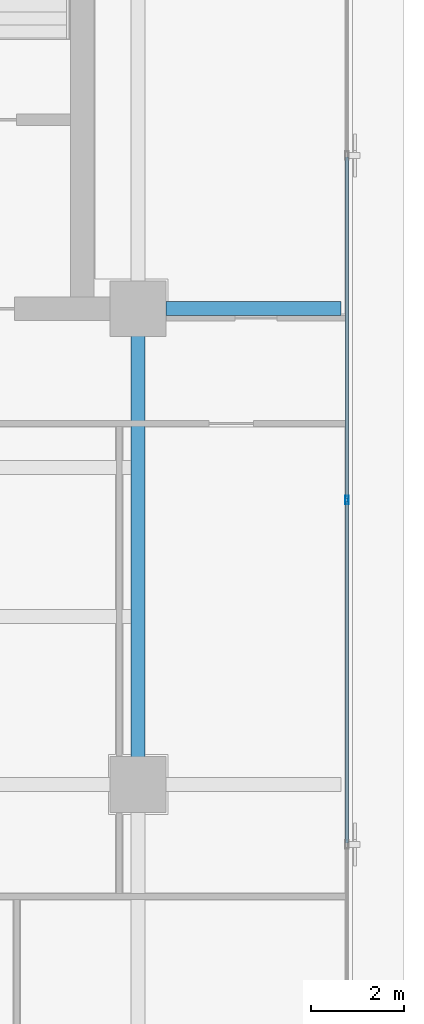
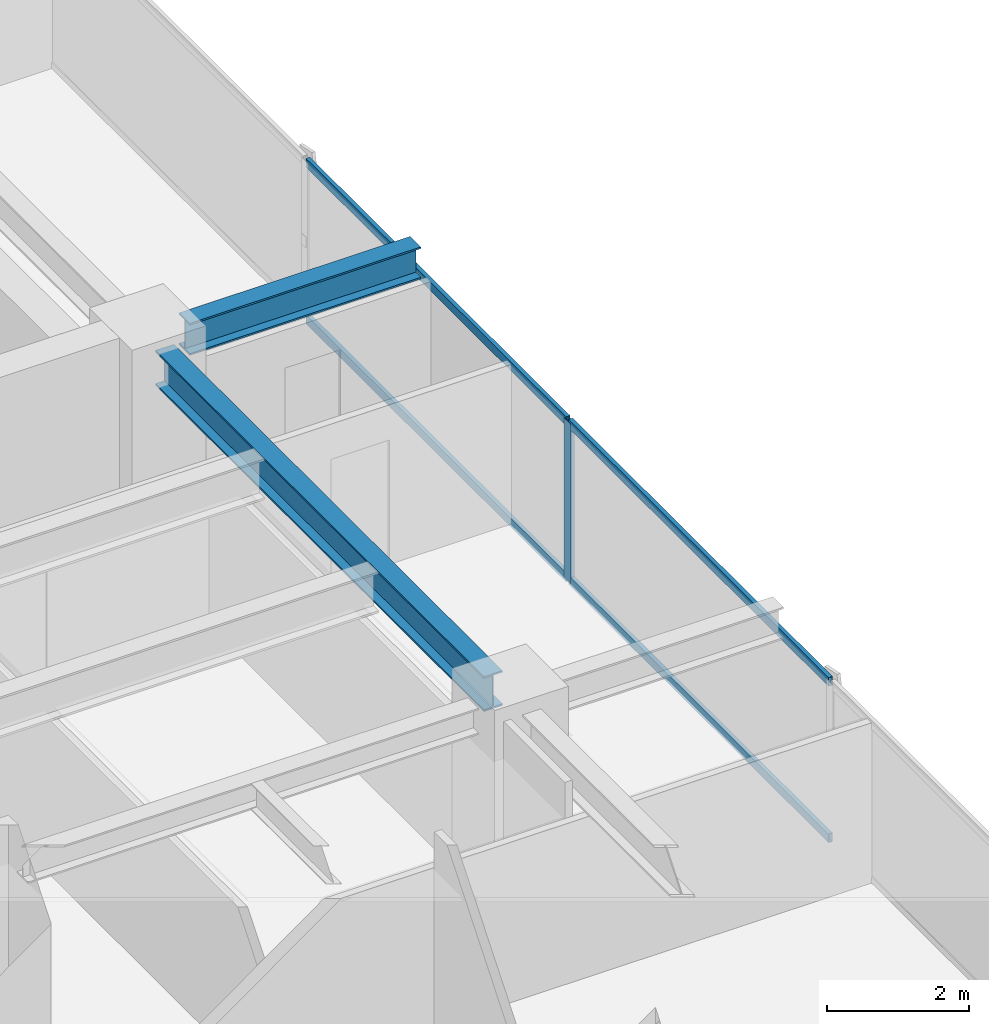
# One storey, part 10 of 22: 5 members, 2 beams, 1 element without a shape of its own.
"""IFC4 building model written with IfcOpenShell, lengths in metres."""

from ifc_helpers import new_model, si_unit, direction, frame, origin, origin_2d, place, context, subcontext, project, spatial, hollow_rectangle, i_section, extrude, source, transform, mapped, material, layer, layer_set, material_profile, profile_set, type_object, element, aggregate, save


model = new_model("IFC4")

# Units and contexts
model_context = context("Model", 3, precision=1e-05, world=origin(), true_north=direction((0.0, 1.0)))
body_context = subcontext(model_context, "Body", "Model", "MODEL_VIEW")
ifc_project = project(units=[si_unit("LENGTHUNIT", "METRE"), si_unit("AREAUNIT", "SQUARE_METRE"), si_unit("VOLUMEUNIT", "CUBIC_METRE"), si_unit("PLANEANGLEUNIT", "RADIAN"), si_unit("MASSUNIT", "GRAM", prefix="KILO")], contexts=[model_context])

# Site, building, storey
site_placement = place(None, origin())
site = spatial("IfcSite", under=ifc_project, at=site_placement, CompositionType="ELEMENT")
building_placement = place(site_placement, origin())
building = spatial("IfcBuilding", under=site, at=building_placement, Name="Sumidabori Civic Tower", CompositionType="ELEMENT")
storey_placement = place(building_placement, frame((0.0, 0.0, 272.0)))
storey = spatial("IfcBuildingStorey", under=building, at=storey_placement, Name="L71", CompositionType="ELEMENT", Elevation=272.0)

# Beams
ifc_material_1 = material(Name="Steel SN490", Category="steel")
ifc_material_profile_1 = material_profile(ifc_material_1, i_section(OverallWidth=0.300048828125, OverallDepth=0.60009765625, WebThickness=0.015380859375, FlangeThickness=0.030029296875, at=origin_2d()), Name="HE 600 B")
ifc_profile_set_1 = profile_set([ifc_material_profile_1], Name="Steel SN490")
beam_type_1 = type_object("IfcBeamType", Name="BM-GIRD-600", PredefinedType="BEAM", material=ifc_profile_set_1)
shared_shape_1 = source(origin(), body_context, "Body", "SweptSolid", [
    extrude(i_section(OverallWidth=0.300048828125, OverallDepth=0.60009765625, WebThickness=0.015380859375, FlangeThickness=0.030029296875, at=origin_2d()), origin(), (0.0, 0.0, 1.0), 9.239990234375),
])
beam_1_placement = place(storey_placement, frame((16.800048828125, 0.47998046875, 3.070068359375), z_axis=(0.0, 1.0, 0.0), x_axis=(-1.0, 0.0, 0.0)))
element("IfcBeam", 1, at=beam_1_placement, inside=storey, type_object=beam_type_1, Name="Primary Girder L71 GY-16", PredefinedType="BEAM", context=body_context, shape_type="MappedRepresentation", body=[
    mapped(shared_shape_1, transform((0.0, 0.0, 0.0), x_axis=(1.0, 0.0, 0.0), y_axis=(0.0, 1.0, 0.0), z_axis=(0.0, 0.0, 1.0), scale=1.0)),
])
ifc_material_profile_2 = material_profile(ifc_material_1, i_section(OverallWidth=0.300048828125, OverallDepth=0.550048828125, WebThickness=0.014892578125, FlangeThickness=0.029052734375, at=origin_2d()), Name="HE 550 B")
ifc_profile_set_2 = profile_set([ifc_material_profile_2], Name="Steel SN490")
beam_type_2 = type_object("IfcBeamType", Name="BM-Z4-EDGE", PredefinedType="SPANDREL", material=ifc_profile_set_2)
shared_shape_2 = source(origin(), body_context, "Body", "SweptSolid", [
    extrude(i_section(OverallWidth=0.300048828125, OverallDepth=0.550048828125, WebThickness=0.014892578125, FlangeThickness=0.029052734375, at=origin_2d()), origin(), (0.0, 0.0, 1.0), 3.75),
])
beam_2_placement = place(storey_placement, frame((17.39990234375, 10.199951171875, 3.094970703125), z_axis=(1.0, 0.0, 0.0), x_axis=(0.0, 1.0, 0.0)))
element("IfcBeam", 2, at=beam_2_placement, inside=storey, type_object=beam_type_2, Name="Perimeter Overhang Beam L71 E-20", PredefinedType="SPANDREL", context=body_context, shape_type="MappedRepresentation", body=[
    mapped(shared_shape_2, transform((0.0, 0.0, 0.0), x_axis=(1.0, 0.0, 0.0), y_axis=(0.0, 1.0, 0.0), z_axis=(0.0, 0.0, 1.0), scale=1.0)),
])

# Curtain wall, members
ifc_material_2 = material(Name="Anodised Bronze Aluminium AW-6063-T6", Category="aluminium")
ifc_layer = layer(ifc_material_2, 0.179931640625, Name="Anodised Bronze Aluminium AW-6063-T6")
ifc_layer_set = layer_set([ifc_layer], Name="Anodised Bronze Aluminium AW-6063-T6")
curtain_wall_type = type_object("IfcCurtainWallType", Name="CW-SYS-6", PredefinedType="NOTDEFINED", material=ifc_layer_set)
curtain_wall_placement = place(storey_placement, origin())
curtain_wall = element("IfcCurtainWall", 3, at=curtain_wall_placement, inside=storey, type_object=curtain_wall_type, Name="Curtain Wall CW:L71:R04", PredefinedType="NOTDEFINED")
ifc_material_profile_3 = material_profile(ifc_material_2, hollow_rectangle(XDim=0.070068359375, YDim=0.179931640625, WallThickness=0.006103515625, at=origin_2d()), Name="ALU MULLION 180x70")
ifc_profile_set_3 = profile_set([ifc_material_profile_3], Name="Anodised Bronze Aluminium AW-6063-T6")
member_type_1 = type_object("IfcMemberType", Name="CW-MUL-180", PredefinedType="MULLION", material=ifc_profile_set_3)
shared_shape_3 = source(origin(), body_context, "Body", "SweptSolid", [
    extrude(hollow_rectangle(XDim=0.070068359375, YDim=0.179931640625, WallThickness=0.006103515625, at=origin_2d()), origin(), (0.0, 0.0, 1.0), 2.75),
])
member_1_placement = place(storey_placement, frame((21.280029296875, 6.10009765625, 0.0), z_axis=(0.0, 0.0, 1.0), x_axis=(-1.0, 0.0, 0.0)))
member_1 = element("IfcMember", 4, at=member_1_placement, type_object=member_type_1, Name="CW-6 mullion 3", PredefinedType="MULLION", context=body_context, shape_type="MappedRepresentation", body=[
    mapped(shared_shape_3, transform((0.0, 0.0, 0.0), x_axis=(1.0, 0.0, 0.0), y_axis=(0.0, 1.0, 0.0), z_axis=(0.0, 0.0, 1.0), scale=1.0)),
])
ifc_material_profile_4 = material_profile(ifc_material_2, hollow_rectangle(XDim=0.06494140625, YDim=0.14990234375, WallThickness=0.0048828125, at=origin_2d()), Name="ALU TRANSOM 150x65")
ifc_profile_set_4 = profile_set([ifc_material_profile_4], Name="Anodised Bronze Aluminium AW-6063-T6")
member_type_2 = type_object("IfcMemberType", Name="CW-TRN-150", PredefinedType="USERDEFINED", material=ifc_profile_set_4)
shared_shape_4 = source(origin(), body_context, "Body", "SweptSolid", [
    extrude(hollow_rectangle(XDim=0.06494140625, YDim=0.14990234375, WallThickness=0.0048828125, at=origin_2d()), origin(), (0.0, 0.0, 1.0), 7.31494140625),
])
member_2_placement = place(storey_placement, frame((21.280029296875, -1.25, 0.032470703125), z_axis=(0.0, 1.0, 0.0), x_axis=(-1.0, 0.0, 0.0)))
member_2 = element("IfcMember", 5, at=member_2_placement, type_object=member_type_2, Name="CW-6 transom 2.1", ObjectType="TRANSOM", PredefinedType="USERDEFINED", context=body_context, shape_type="MappedRepresentation", body=[
    mapped(shared_shape_4, transform((0.0, 0.0, 0.0), x_axis=(1.0, 0.0, 0.0), y_axis=(0.0, 1.0, 0.0), z_axis=(0.0, 0.0, 1.0), scale=1.0)),
])
member_3_placement = place(storey_placement, frame((21.280029296875, -1.25, 2.717529296875), z_axis=(0.0, 1.0, 0.0), x_axis=(-1.0, 0.0, 0.0)))
member_3 = element("IfcMember", 6, at=member_3_placement, type_object=member_type_2, Name="CW-6 transom 2.2", ObjectType="TRANSOM", PredefinedType="USERDEFINED", context=body_context, shape_type="MappedRepresentation", body=[
    mapped(shared_shape_4, transform((0.0, 0.0, 0.0), x_axis=(1.0, 0.0, 0.0), y_axis=(0.0, 1.0, 0.0), z_axis=(0.0, 0.0, 1.0), scale=1.0)),
])
member_4_placement = place(storey_placement, frame((21.280029296875, 6.135009765625, 0.032470703125), z_axis=(0.0, 1.0, 0.0), x_axis=(-1.0, 0.0, 0.0)))
member_4 = element("IfcMember", 7, at=member_4_placement, type_object=member_type_2, Name="CW-6 transom 3.1", ObjectType="TRANSOM", PredefinedType="USERDEFINED", context=body_context, shape_type="MappedRepresentation", body=[
    mapped(shared_shape_4, transform((0.0, 0.0, 0.0), x_axis=(1.0, 0.0, 0.0), y_axis=(0.0, 1.0, 0.0), z_axis=(0.0, 0.0, 1.0), scale=1.0)),
])
member_5_placement = place(storey_placement, frame((21.280029296875, 6.135009765625, 2.717529296875), z_axis=(0.0, 1.0, 0.0), x_axis=(-1.0, 0.0, 0.0)))
member_5 = element("IfcMember", 8, at=member_5_placement, type_object=member_type_2, Name="CW-6 transom 3.2", ObjectType="TRANSOM", PredefinedType="USERDEFINED", context=body_context, shape_type="MappedRepresentation", body=[
    mapped(shared_shape_4, transform((0.0, 0.0, 0.0), x_axis=(1.0, 0.0, 0.0), y_axis=(0.0, 1.0, 0.0), z_axis=(0.0, 0.0, 1.0), scale=1.0)),
])
aggregate(curtain_wall, [member_1, member_2, member_3, member_4, member_5])

save(model, "model.ifc")
